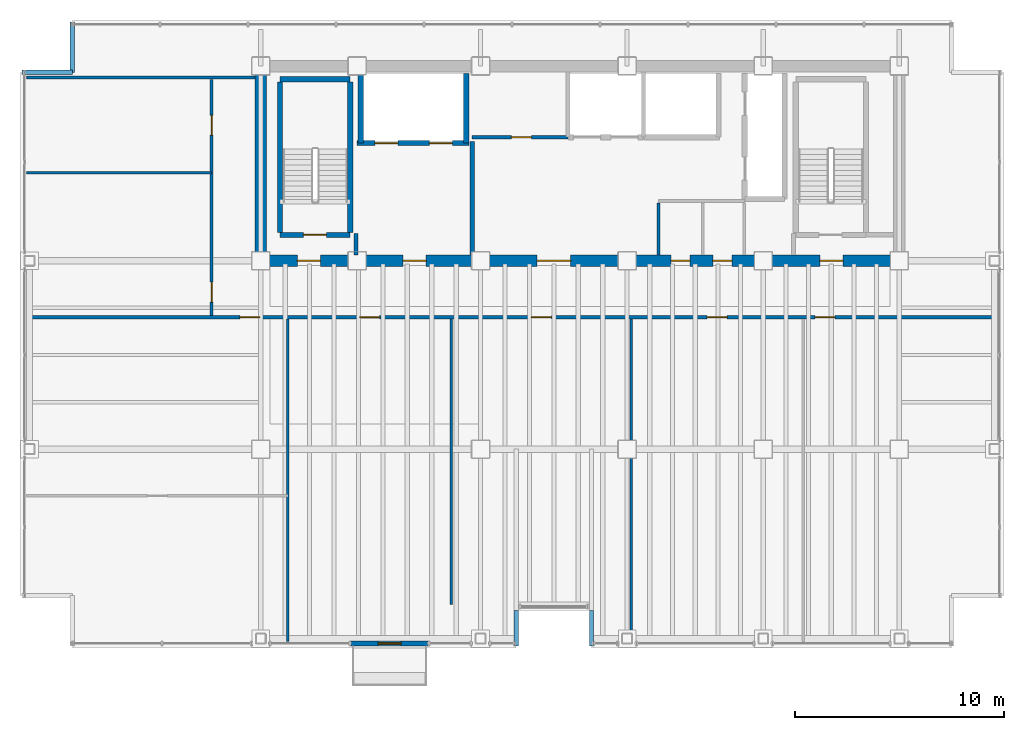
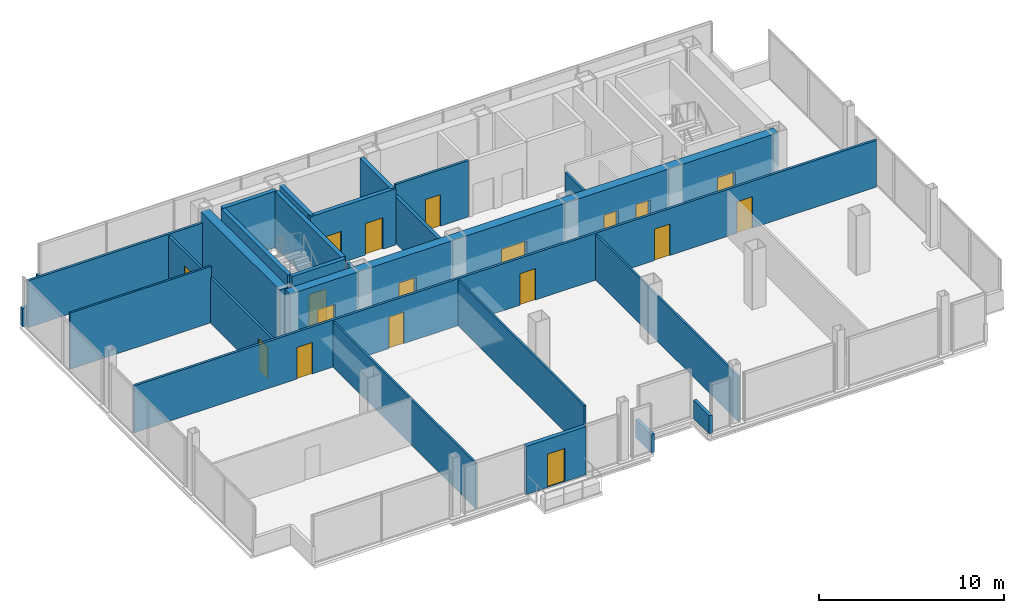
# One storey, part 18 of 20: 25 walls, 18 doors, 18 openings.
"""IFC4 building model written with IfcOpenShell, lengths in metres."""

from ifc_helpers import new_model, si_unit, direction, frame, frame_2d, origin, place, context, subcontext, project, spatial, rectangle, extrude, material, layer, layer_set, type_object, element, fill, save


model = new_model("IFC4")

# Units and contexts
model_context = context("Model", 3, precision=1e-05, world=origin(), true_north=direction((0.0, 1.0)))
body_context = subcontext(model_context, "Body", "Model", "MODEL_VIEW")
ifc_project = project(units=[si_unit("LENGTHUNIT", "METRE"), si_unit("AREAUNIT", "SQUARE_METRE"), si_unit("VOLUMEUNIT", "CUBIC_METRE"), si_unit("PLANEANGLEUNIT", "RADIAN"), si_unit("MASSUNIT", "GRAM", prefix="KILO")], contexts=[model_context])

# Site, building, storey
site_placement = place(None, origin())
site = spatial("IfcSite", under=ifc_project, at=site_placement, CompositionType="ELEMENT")
building_placement = place(site_placement, origin())
building = spatial("IfcBuilding", under=site, at=building_placement, Name="Noeulbin Bourse Tower", CompositionType="ELEMENT")
storey_placement = place(building_placement, frame((0.0, 0.0, 126.60009765625)))
storey = spatial("IfcBuildingStorey", under=building, at=storey_placement, Name="L31", CompositionType="ELEMENT", Elevation=126.60009765625)

# Wall, openings, doors
ifc_material_1 = material(Name="Concrete C60/75", Category="concrete")
ifc_layer_1 = layer(ifc_material_1, 0.550048828125)
ifc_layer_set_1 = layer_set([ifc_layer_1], Name="Concrete C60/75")
wall_type_1 = type_object("IfcWallType", Name="WAL-CORE-550", PredefinedType="SHEAR", material=ifc_layer_set_1)
wall_1_placement = place(storey_placement, frame((13.5, 29.0, 0.0), z_axis=(0.0, 0.0, 1.0), x_axis=(1.0, 0.0, 0.0)))
wall_1 = element("IfcWall", 1, at=wall_1_placement, inside=storey, type_object=wall_type_1, Name="Rear Core South Shear Wall L31", PredefinedType="SHEAR", context=body_context, shape_type="SweptSolid", body=[
    extrude(rectangle(XDim=30.5, YDim=0.550048828125, at=frame_2d((15.25, 0.0))), origin(), (0.0, 0.0, 1.0), 3.719970703125),
])
opening_1_placement = place(wall_1_placement, frame((1.75, 0.0, 0.0)))
opening_1 = element("IfcOpeningElement", 2, at=opening_1_placement, cuts=wall_1, Name="Opening FD-11", PredefinedType="OPENING", context=body_context, shape_type="SweptSolid", body=[
    extrude(rectangle(XDim=1.10009765625, YDim=2.080078125, at=frame_2d((0.550048828125, 1.0400390625))), frame((0.0, 0.284912109375, 0.0), z_axis=(0.0, -1.0, 0.0), x_axis=(1.0, 0.0, 0.0)), (0.0, 0.0, 1.0), 0.570068359375),
])
opening_2_placement = place(wall_1_placement, frame((26.699951171875, 0.0, 0.0)))
opening_2 = element("IfcOpeningElement", 3, at=opening_2_placement, cuts=wall_1, Name="Opening FD-11", PredefinedType="OPENING", context=body_context, shape_type="SweptSolid", body=[
    extrude(rectangle(XDim=1.10009765625, YDim=2.080078125, at=frame_2d((0.550048828125, 1.0400390625))), frame((0.0, 0.284912109375, 0.0), z_axis=(0.0, -1.0, 0.0), x_axis=(1.0, 0.0, 0.0)), (0.0, 0.0, 1.0), 0.570068359375),
])
opening_3_placement = place(wall_1_placement, frame((6.800048828125, 0.0, 0.0)))
opening_3 = element("IfcOpeningElement", 4, at=opening_3_placement, cuts=wall_1, Name="Opening FD-11", PredefinedType="OPENING", context=body_context, shape_type="SweptSolid", body=[
    extrude(rectangle(XDim=1.10009765625, YDim=2.080078125, at=frame_2d((0.550048828125, 1.0400390625))), frame((0.0, 0.284912109375, 0.0), z_axis=(0.0, -1.0, 0.0), x_axis=(1.0, 0.0, 0.0)), (0.0, 0.0, 1.0), 0.570068359375),
])
opening_4_placement = place(wall_1_placement, frame((13.199951171875, 0.0, 0.0)))
opening_4 = element("IfcOpeningElement", 5, at=opening_4_placement, cuts=wall_1, Name="Opening ID-16", PredefinedType="OPENING", context=body_context, shape_type="SweptSolid", body=[
    extrude(rectangle(XDim=1.60009765625, YDim=2.080078125, at=frame_2d((0.800048828125, 1.0400390625))), frame((0.0, 0.284912109375, 0.0), z_axis=(0.0, -1.0, 0.0), x_axis=(1.0, 0.0, 0.0)), (0.0, 0.0, 1.0), 0.570068359375),
])
opening_5_placement = place(wall_1_placement, frame((19.60009765625, 0.0, 0.0)))
opening_5 = element("IfcOpeningElement", 6, at=opening_5_placement, cuts=wall_1, Name="Opening FD-09", PredefinedType="OPENING", context=body_context, shape_type="SweptSolid", body=[
    extrude(rectangle(XDim=0.89990234375, YDim=2.080078125, at=frame_2d((0.449951171875, 1.0400390625))), frame((0.0, 0.284912109375, 0.0), z_axis=(0.0, -1.0, 0.0), x_axis=(1.0, 0.0, 0.0)), (0.0, 0.0, 1.0), 0.570068359375),
])
opening_6_placement = place(wall_1_placement, frame((21.60009765625, 0.0, 0.0)))
opening_6 = element("IfcOpeningElement", 7, at=opening_6_placement, cuts=wall_1, Name="Opening FD-09", PredefinedType="OPENING", context=body_context, shape_type="SweptSolid", body=[
    extrude(rectangle(XDim=0.89990234375, YDim=2.080078125, at=frame_2d((0.449951171875, 1.0400390625))), frame((0.0, 0.284912109375, 0.0), z_axis=(0.0, -1.0, 0.0), x_axis=(1.0, 0.0, 0.0)), (0.0, 0.0, 1.0), 0.570068359375),
])
ifc_material_2 = material(Name="Acoustic Glazed Aluminium", Category="aluminium")
door_type_1 = type_object("IfcDoorType", Name="DR-DBL-1600", OperationType="DOUBLE_DOOR_SINGLE_SWING", PredefinedType="DOOR", material=ifc_material_2)
door_1_placement = place(opening_4_placement, origin())
door_1 = element("IfcDoor", 8, at=door_1_placement, inside=storey, type_object=door_type_1, Name="Passenger Lift Lobby Portal L31", OperationType="DOUBLE_DOOR_SINGLE_SWING", OverallHeight=2.080078125, OverallWidth=1.60009765625, PredefinedType="DOOR", context=body_context, shape_type="SweptSolid", body=[
    extrude(rectangle(XDim=1.60009765625, YDim=2.080078125, at=frame_2d((0.800048828125, 1.0400390625))), frame((0.0, 0.02490234375, 0.0), z_axis=(0.0, -1.0, 0.0), x_axis=(1.0, 0.0, 0.0)), (0.0, 0.0, 1.0), 0.050048828125),
])
fill(opening_4, door_1)
ifc_material_3 = material(Name="Fire-Rated Timber Core", Category="wood")
door_type_2 = type_object("IfcDoorType", Name="DR-FD30-900", OperationType="SINGLE_SWING_RIGHT", PredefinedType="DOOR", material=ifc_material_3)
door_2_placement = place(opening_5_placement, origin())
door_2 = element("IfcDoor", 9, at=door_2_placement, inside=storey, type_object=door_type_2, Name="Interior Door L31-06", OperationType="SINGLE_SWING_RIGHT", OverallHeight=2.080078125, OverallWidth=0.89990234375, PredefinedType="DOOR", context=body_context, shape_type="SweptSolid", body=[
    extrude(rectangle(XDim=0.89990234375, YDim=2.080078125, at=frame_2d((0.449951171875, 1.0400390625))), frame((0.0, 0.02490234375, 0.0), z_axis=(0.0, -1.0, 0.0), x_axis=(1.0, 0.0, 0.0)), (0.0, 0.0, 1.0), 0.050048828125),
])
fill(opening_5, door_2)
door_3_placement = place(opening_6_placement, origin())
door_3 = element("IfcDoor", 10, at=door_3_placement, inside=storey, type_object=door_type_2, Name="Interior Door L31-07", OperationType="SINGLE_SWING_LEFT", OverallHeight=2.080078125, OverallWidth=0.89990234375, PredefinedType="DOOR", context=body_context, shape_type="SweptSolid", body=[
    extrude(rectangle(XDim=0.89990234375, YDim=2.080078125, at=frame_2d((0.449951171875, 1.0400390625))), frame((0.0, 0.02490234375, 0.0), z_axis=(0.0, -1.0, 0.0), x_axis=(1.0, 0.0, 0.0)), (0.0, 0.0, 1.0), 0.050048828125),
])
fill(opening_6, door_3)
ifc_material_4 = material(Name="Fire-Rated Insulated Steel", Category="steel")
door_type_3 = type_object("IfcDoorType", Name="DR-FD60-1100", OperationType="SINGLE_SWING_LEFT", PredefinedType="DOOR", material=ifc_material_4)
door_4_placement = place(opening_1_placement, origin())
door_4 = element("IfcDoor", 11, at=door_4_placement, inside=storey, type_object=door_type_3, Name="West Stair Lobby Door L31", OperationType="SINGLE_SWING_LEFT", OverallHeight=2.080078125, OverallWidth=1.10009765625, PredefinedType="DOOR", context=body_context, shape_type="SweptSolid", body=[
    extrude(rectangle(XDim=1.10009765625, YDim=2.080078125, at=frame_2d((0.550048828125, 1.0400390625))), frame((0.0, 0.02490234375, 0.0), z_axis=(0.0, -1.0, 0.0), x_axis=(1.0, 0.0, 0.0)), (0.0, 0.0, 1.0), 0.050048828125),
])
fill(opening_1, door_4)
door_5_placement = place(opening_2_placement, origin())
door_5 = element("IfcDoor", 12, at=door_5_placement, inside=storey, type_object=door_type_3, Name="East Stair Lobby Door L31", OperationType="SINGLE_SWING_RIGHT", OverallHeight=2.080078125, OverallWidth=1.10009765625, PredefinedType="DOOR", context=body_context, shape_type="SweptSolid", body=[
    extrude(rectangle(XDim=1.10009765625, YDim=2.080078125, at=frame_2d((0.550048828125, 1.0400390625))), frame((0.0, 0.02490234375, 0.0), z_axis=(0.0, -1.0, 0.0), x_axis=(1.0, 0.0, 0.0)), (0.0, 0.0, 1.0), 0.050048828125),
])
fill(opening_2, door_5)
door_6_placement = place(opening_3_placement, origin())
door_6 = element("IfcDoor", 13, at=door_6_placement, inside=storey, type_object=door_type_3, Name="Firefighting Lobby Door L31", OperationType="SINGLE_SWING_LEFT", OverallHeight=2.080078125, OverallWidth=1.10009765625, PredefinedType="DOOR", context=body_context, shape_type="SweptSolid", body=[
    extrude(rectangle(XDim=1.10009765625, YDim=2.080078125, at=frame_2d((0.550048828125, 1.0400390625))), frame((0.0, 0.02490234375, 0.0), z_axis=(0.0, -1.0, 0.0), x_axis=(1.0, 0.0, 0.0)), (0.0, 0.0, 1.0), 0.050048828125),
])
fill(opening_3, door_6)

# Wall
wall_2_placement = place(storey_placement, frame((13.5, 29.35009765625, 0.0), z_axis=(0.0, 0.0, 1.0), x_axis=(0.0, 1.0, 0.0)))
element("IfcWall", 14, at=wall_2_placement, inside=storey, type_object=wall_type_1, Name="Rear Core West Shear Wall L31", PredefinedType="SHEAR", context=body_context, shape_type="SweptSolid", body=[
    extrude(rectangle(XDim=8.599853515625, YDim=0.550048828125, at=frame_2d((4.2998046875, 0.0))), origin(), (0.0, 0.0, 1.0), 3.719970703125),
])

# Wall, opening, door
ifc_material_5 = material(Name="Precast Concrete C40/50", Category="concrete")
ifc_layer_2 = layer(ifc_material_5, 0.25)
ifc_layer_set_2 = layer_set([ifc_layer_2], Name="Precast Concrete C40/50")
wall_type_2 = type_object("IfcWallType", Name="WAL-EXT-250", PredefinedType="STANDARD", material=ifc_layer_set_2)
wall_3_placement = place(storey_placement, frame((17.800048828125, 10.719970703125, 0.0), z_axis=(0.0, 0.0, 1.0), x_axis=(1.0, 0.0, 0.0)))
wall_3 = element("IfcWall", 15, at=wall_3_placement, inside=storey, type_object=wall_type_2, Name="Balcony Threshold Wall L31", PredefinedType="STANDARD", context=body_context, shape_type="SweptSolid", body=[
    extrude(rectangle(XDim=3.699951171875, YDim=0.25, at=frame_2d((1.85009765625, 0.0))), origin(), (0.0, 0.0, 1.0), 3.179931640625),
])
opening_7_placement = place(wall_3_placement, frame((1.300048828125, 0.0, 0.0)))
opening_7 = element("IfcOpeningElement", 16, at=opening_7_placement, cuts=wall_3, Name="Opening BD-11", PredefinedType="OPENING", context=body_context, shape_type="SweptSolid", body=[
    extrude(rectangle(XDim=1.10009765625, YDim=2.199951171875, at=frame_2d((0.550048828125, 1.10009765625))), frame((0.0, 0.135009765625, 0.0), z_axis=(0.0, -1.0, 0.0), x_axis=(1.0, 0.0, 0.0)), (0.0, 0.0, 1.0), 0.27001953125),
])
ifc_material_6 = material(Name="Thermally Broken Aluminium Framed Glass", Category="aluminium")
door_type_4 = type_object("IfcDoorType", Name="DR-BAL-1100", OperationType="SINGLE_SWING_LEFT", PredefinedType="DOOR", material=ifc_material_6)
door_7_placement = place(opening_7_placement, origin())
door_7 = element("IfcDoor", 17, at=door_7_placement, inside=storey, type_object=door_type_4, Name="Tree-Balcony Access Door BD-L31", OperationType="SINGLE_SWING_LEFT", OverallHeight=2.199951171875, OverallWidth=1.10009765625, PredefinedType="DOOR", context=body_context, shape_type="SweptSolid", body=[
    extrude(rectangle(XDim=1.10009765625, YDim=2.199951171875, at=frame_2d((0.550048828125, 1.10009765625))), frame((0.0, 0.02490234375, 0.0), z_axis=(0.0, -1.0, 0.0), x_axis=(1.0, 0.0, 0.0)), (0.0, 0.0, 1.0), 0.050048828125),
])
fill(opening_7, door_7)

# Walls
ifc_material_7 = material(Name="Concrete C40/50", Category="concrete")
ifc_layer_3 = layer(ifc_material_7, 0.199951171875)
ifc_layer_set_3 = layer_set([ifc_layer_3], Name="Concrete C40/50")
wall_type_3 = type_object("IfcWallType", Name="WAL-FIRE-200", PredefinedType="STANDARD", material=ifc_layer_set_3)
wall_4_placement = place(storey_placement, frame((18.050048828125, 29.284912109375, 0.0), z_axis=(0.0, 0.0, 1.0), x_axis=(0.0, 1.0, 0.0)))
element("IfcWall", 18, at=wall_4_placement, inside=storey, type_object=wall_type_3, Name="Interior Partition Wall L31-08", PredefinedType="STANDARD", context=body_context, shape_type="SweptSolid", body=[
    extrude(rectangle(XDim=1.01513671875, YDim=0.199951171875, at=frame_2d((0.507568359375, 0.0))), origin(), (0.0, 0.0, 1.0), 3.2998046875),
])
wall_5_placement = place(storey_placement, frame((23.60009765625, 29.284912109375, 0.0), z_axis=(0.0, 0.0, 1.0), x_axis=(0.0, 1.0, 0.0)))
element("IfcWall", 19, at=wall_5_placement, inside=storey, type_object=wall_type_3, Name="Interior Partition Wall L31-10", PredefinedType="STANDARD", context=body_context, shape_type="SweptSolid", body=[
    extrude(rectangle(XDim=5.4150390625, YDim=0.199951171875, at=frame_2d((2.70751953125, 0.0))), origin(), (0.0, 0.0, 1.0), 3.099853515625),
])
ifc_layer_4 = layer(ifc_material_7, 0.199951171875)
ifc_layer_set_4 = layer_set([ifc_layer_4], Name="Concrete C40/50")
wall_type_4 = type_object("IfcWallType", Name="WAL-PAR-200", PredefinedType="PARAPET", material=ifc_layer_set_4)
for number, where, z_axis, x_axis, name in (
    (20, (2.10009765625, 38.0, 0.0), (0.0, 0.0, 1.0), (1.0, 0.0, 0.0), "Corner Notch Parapet L31-NW1"),
    (21, (4.5, 38.0, 0.0), (0.0, 0.0, 1.0), (0.0, 1.0, 0.0), "Corner Notch Parapet L31-NW2"),
):
    element("IfcWall", number, at=place(storey_placement, frame(where, z_axis=z_axis, x_axis=x_axis)), inside=storey, type_object=wall_type_4, Name=name, PredefinedType="PARAPET", context=body_context, shape_type="SweptSolid", body=[
        extrude(rectangle(XDim=2.39990234375, YDim=0.199951171875, at=frame_2d((1.199951171875, 0.0))), origin(), (0.0, 0.0, 1.0), 1.199951171875),
    ])
for number, where, z_axis, x_axis, name in (
    (22, (25.699951171875, 10.60009765625, 0.0), (0.0, 0.0, 1.0), (0.0, 1.0, 0.0), "Sky-Garden Recess Parapet L31-W"),
    (23, (29.300048828125, 12.300048828125, 0.0), (0.0, 0.0, 1.0), (0.0, -1.0, 0.0), "Sky-Garden Recess Parapet L31-E"),
):
    element("IfcWall", number, at=place(storey_placement, frame(where, z_axis=z_axis, x_axis=x_axis)), inside=storey, type_object=wall_type_4, Name=name, PredefinedType="PARAPET", context=body_context, shape_type="SweptSolid", body=[
        extrude(rectangle(XDim=1.699951171875, YDim=0.199951171875, at=frame_2d((0.85009765625, 0.0))), origin(), (0.0, 0.0, 1.0), 1.199951171875),
    ])
ifc_material_8 = material(Name="Steel Stud Gypsum Partition", Category="steel")
ifc_layer_5 = layer(ifc_material_8, 0.1201171875)
ifc_layer_set_5 = layer_set([ifc_layer_5], Name="Steel Stud Gypsum Partition")
wall_type_5 = type_object("IfcWallType", Name="WAL-PRT-120", PredefinedType="PARTITIONING", material=ifc_layer_set_5)
wall_6_placement = place(storey_placement, frame((2.31005859375, 33.199951171875, 0.0), z_axis=(0.0, 0.0, 1.0), x_axis=(1.0, 0.0, 0.0)))
element("IfcWall", 24, at=wall_6_placement, inside=storey, type_object=wall_type_5, Name="Interior Partition Wall L31-07", PredefinedType="PARTITIONING", context=body_context, shape_type="SweptSolid", body=[
    extrude(rectangle(XDim=8.83984375, YDim=0.1201171875, at=frame_2d((4.419921875, 0.0))), origin(), (0.0, 0.0, 1.0), 3.719970703125),
])
wall_7_placement = place(storey_placement, frame((14.800048828125, 10.81005859375, 0.0), z_axis=(0.0, 0.0, 1.0), x_axis=(0.0, 1.0, 0.0)))
element("IfcWall", 25, at=wall_7_placement, inside=storey, type_object=wall_type_5, Name="Interior Partition Wall L31-15", PredefinedType="PARTITIONING", context=body_context, shape_type="SweptSolid", body=[
    extrude(rectangle(XDim=15.405029296875, YDim=0.1201171875, at=frame_2d((7.70263671875, 0.0))), origin(), (0.0, 0.0, 1.0), 3.0),
])
wall_8_placement = place(storey_placement, frame((22.60009765625, 12.570068359375, 0.0), z_axis=(0.0, 0.0, 1.0), x_axis=(0.0, 1.0, 0.0)))
element("IfcWall", 26, at=wall_8_placement, inside=storey, type_object=wall_type_5, Name="Interior Partition Wall L31-16", PredefinedType="PARTITIONING", context=body_context, shape_type="SweptSolid", body=[
    extrude(rectangle(XDim=13.64501953125, YDim=0.1201171875, at=frame_2d((6.822509765625, 0.0))), origin(), (0.0, 0.0, 1.0), 3.0),
])
wall_9_placement = place(storey_placement, frame((31.199951171875, 10.81005859375, 0.0), z_axis=(0.0, 0.0, 1.0), x_axis=(0.0, 1.0, 0.0)))
element("IfcWall", 27, at=wall_9_placement, inside=storey, type_object=wall_type_5, Name="Interior Partition Wall L31-17", PredefinedType="PARTITIONING", context=body_context, shape_type="SweptSolid", body=[
    extrude(rectangle(XDim=15.405029296875, YDim=0.1201171875, at=frame_2d((7.70263671875, 0.0))), origin(), (0.0, 0.0, 1.0), 3.0),
])

# Wall, opening, door
ifc_material_9 = material(Name="Steel Stud Acoustic Gypsum Board", Category="steel")
ifc_layer_6 = layer(ifc_material_9, 0.14990234375)
ifc_layer_set_6 = layer_set([ifc_layer_6], Name="Steel Stud Acoustic Gypsum Board")
wall_type_6 = type_object("IfcWallType", Name="WAL-PRT-150", PredefinedType="PARTITIONING", material=ifc_layer_set_6)
wall_10_placement = place(storey_placement, frame((23.60009765625, 34.89990234375, 0.0), z_axis=(0.0, 0.0, 1.0), x_axis=(1.0, 0.0, 0.0)))
wall_10 = element("IfcWall", 28, at=wall_10_placement, inside=storey, type_object=wall_type_6, Name="Interior Partition Wall L31-02", PredefinedType="PARTITIONING", context=body_context, shape_type="SweptSolid", body=[
    extrude(rectangle(XDim=4.579833984375, YDim=0.14990234375, at=frame_2d((2.2900390625, 0.0))), origin(), (0.0, 0.0, 1.0), 3.719970703125),
])
opening_8_placement = place(wall_10_placement, frame((1.875, 0.0, 0.0)))
opening_8 = element("IfcOpeningElement", 29, at=opening_8_placement, cuts=wall_10, Name="Opening ID-09", PredefinedType="OPENING", context=body_context, shape_type="SweptSolid", body=[
    extrude(rectangle(XDim=0.949951171875, YDim=2.080078125, at=frame_2d((0.47509765625, 1.0400390625))), frame((0.0, 0.0849609375, 0.0), z_axis=(0.0, -1.0, 0.0), x_axis=(1.0, 0.0, 0.0)), (0.0, 0.0, 1.0), 0.169921875),
])
ifc_material_10 = material(Name="Acoustic Solid-Core Timber", Category="wood")
door_type_5 = type_object("IfcDoorType", Name="DR-SINGLE-950", OperationType="SINGLE_SWING_LEFT", PredefinedType="DOOR", material=ifc_material_10)
door_8_placement = place(opening_8_placement, origin())
door_8 = element("IfcDoor", 30, at=door_8_placement, inside=storey, type_object=door_type_5, Name="Archive Room Door L31", OperationType="SINGLE_SWING_LEFT", OverallHeight=2.080078125, OverallWidth=0.949951171875, PredefinedType="DOOR", context=body_context, shape_type="SweptSolid", body=[
    extrude(rectangle(XDim=0.949951171875, YDim=2.080078125, at=frame_2d((0.47509765625, 1.0400390625))), frame((0.0, 0.02490234375, 0.0), z_axis=(0.0, -1.0, 0.0), x_axis=(1.0, 0.0, 0.0)), (0.0, 0.0, 1.0), 0.050048828125),
])
fill(opening_8, door_8)

# Wall, openings, doors
wall_11_placement = place(storey_placement, frame((2.31005859375, 26.300048828125, 0.0), z_axis=(0.0, 0.0, 1.0), x_axis=(1.0, 0.0, 0.0)))
wall_11 = element("IfcWall", 31, at=wall_11_placement, inside=storey, type_object=wall_type_6, Name="Interior Partition Wall L31-04", PredefinedType="PARTITIONING", context=body_context, shape_type="SweptSolid", body=[
    extrude(rectangle(XDim=46.3798828125, YDim=0.14990234375, at=frame_2d((23.18994140625, 0.0))), origin(), (0.0, 0.0, 1.0), 3.099853515625),
])
opening_9_placement = place(wall_11_placement, frame((10.18994140625, 0.0, 0.0)))
opening_9 = element("IfcOpeningElement", 32, at=opening_9_placement, cuts=wall_11, Name="Opening ID-09", PredefinedType="OPENING", context=body_context, shape_type="SweptSolid", body=[
    extrude(rectangle(XDim=0.949951171875, YDim=2.080078125, at=frame_2d((0.47509765625, 1.0400390625))), frame((0.0, 0.0849609375, 0.0), z_axis=(0.0, -1.0, 0.0), x_axis=(1.0, 0.0, 0.0)), (0.0, 0.0, 1.0), 0.169921875),
])
opening_10_placement = place(wall_11_placement, frame((15.9150390625, 0.0, 0.0)))
opening_10 = element("IfcOpeningElement", 33, at=opening_10_placement, cuts=wall_11, Name="Opening ID-09", PredefinedType="OPENING", context=body_context, shape_type="SweptSolid", body=[
    extrude(rectangle(XDim=0.949951171875, YDim=2.080078125, at=frame_2d((0.47509765625, 1.0400390625))), frame((0.0, 0.0849609375, 0.0), z_axis=(0.0, -1.0, 0.0), x_axis=(1.0, 0.0, 0.0)), (0.0, 0.0, 1.0), 0.169921875),
])
opening_11_placement = place(wall_11_placement, frame((24.114990234375, 0.0, 0.0)))
opening_11 = element("IfcOpeningElement", 34, at=opening_11_placement, cuts=wall_11, Name="Opening ID-09", PredefinedType="OPENING", context=body_context, shape_type="SweptSolid", body=[
    extrude(rectangle(XDim=0.949951171875, YDim=2.080078125, at=frame_2d((0.47509765625, 1.0400390625))), frame((0.0, 0.0849609375, 0.0), z_axis=(0.0, -1.0, 0.0), x_axis=(1.0, 0.0, 0.0)), (0.0, 0.0, 1.0), 0.169921875),
])
opening_12_placement = place(wall_11_placement, frame((32.514892578125, 0.0, 0.0)))
opening_12 = element("IfcOpeningElement", 35, at=opening_12_placement, cuts=wall_11, Name="Opening ID-09", PredefinedType="OPENING", context=body_context, shape_type="SweptSolid", body=[
    extrude(rectangle(XDim=0.949951171875, YDim=2.080078125, at=frame_2d((0.47509765625, 1.0400390625))), frame((0.0, 0.0849609375, 0.0), z_axis=(0.0, -1.0, 0.0), x_axis=(1.0, 0.0, 0.0)), (0.0, 0.0, 1.0), 0.169921875),
])
opening_13_placement = place(wall_11_placement, frame((37.6650390625, 0.0, 0.0)))
opening_13 = element("IfcOpeningElement", 36, at=opening_13_placement, cuts=wall_11, Name="Opening ID-09", PredefinedType="OPENING", context=body_context, shape_type="SweptSolid", body=[
    extrude(rectangle(XDim=0.949951171875, YDim=2.080078125, at=frame_2d((0.47509765625, 1.0400390625))), frame((0.0, 0.0849609375, 0.0), z_axis=(0.0, -1.0, 0.0), x_axis=(1.0, 0.0, 0.0)), (0.0, 0.0, 1.0), 0.169921875),
])
door_9_placement = place(opening_9_placement, origin())
door_9 = element("IfcDoor", 37, at=door_9_placement, inside=storey, type_object=door_type_5, Name="Interior Door L31-09", OperationType="SINGLE_SWING_LEFT", OverallHeight=2.080078125, OverallWidth=0.949951171875, PredefinedType="DOOR", context=body_context, shape_type="SweptSolid", body=[
    extrude(rectangle(XDim=0.949951171875, YDim=2.080078125, at=frame_2d((0.47509765625, 1.0400390625))), frame((0.0, 0.02490234375, 0.0), z_axis=(0.0, -1.0, 0.0), x_axis=(1.0, 0.0, 0.0)), (0.0, 0.0, 1.0), 0.050048828125),
])
fill(opening_9, door_9)
door_10_placement = place(opening_10_placement, origin())
door_10 = element("IfcDoor", 38, at=door_10_placement, inside=storey, type_object=door_type_5, Name="Interior Door L31-10", OperationType="SINGLE_SWING_RIGHT", OverallHeight=2.080078125, OverallWidth=0.949951171875, PredefinedType="DOOR", context=body_context, shape_type="SweptSolid", body=[
    extrude(rectangle(XDim=0.949951171875, YDim=2.080078125, at=frame_2d((0.47509765625, 1.0400390625))), frame((0.0, 0.02490234375, 0.0), z_axis=(0.0, -1.0, 0.0), x_axis=(1.0, 0.0, 0.0)), (0.0, 0.0, 1.0), 0.050048828125),
])
fill(opening_10, door_10)
door_11_placement = place(opening_11_placement, origin())
door_11 = element("IfcDoor", 39, at=door_11_placement, inside=storey, type_object=door_type_5, Name="Interior Door L31-11", OperationType="SINGLE_SWING_LEFT", OverallHeight=2.080078125, OverallWidth=0.949951171875, PredefinedType="DOOR", context=body_context, shape_type="SweptSolid", body=[
    extrude(rectangle(XDim=0.949951171875, YDim=2.080078125, at=frame_2d((0.47509765625, 1.0400390625))), frame((0.0, 0.02490234375, 0.0), z_axis=(0.0, -1.0, 0.0), x_axis=(1.0, 0.0, 0.0)), (0.0, 0.0, 1.0), 0.050048828125),
])
fill(opening_11, door_11)
door_12_placement = place(opening_12_placement, origin())
door_12 = element("IfcDoor", 40, at=door_12_placement, inside=storey, type_object=door_type_5, Name="Interior Door L31-12", OperationType="SINGLE_SWING_RIGHT", OverallHeight=2.080078125, OverallWidth=0.949951171875, PredefinedType="DOOR", context=body_context, shape_type="SweptSolid", body=[
    extrude(rectangle(XDim=0.949951171875, YDim=2.080078125, at=frame_2d((0.47509765625, 1.0400390625))), frame((0.0, 0.02490234375, 0.0), z_axis=(0.0, -1.0, 0.0), x_axis=(1.0, 0.0, 0.0)), (0.0, 0.0, 1.0), 0.050048828125),
])
fill(opening_12, door_12)
door_13_placement = place(opening_13_placement, origin())
door_13 = element("IfcDoor", 41, at=door_13_placement, inside=storey, type_object=door_type_5, Name="Interior Door L31-13", OperationType="SINGLE_SWING_LEFT", OverallHeight=2.080078125, OverallWidth=0.949951171875, PredefinedType="DOOR", context=body_context, shape_type="SweptSolid", body=[
    extrude(rectangle(XDim=0.949951171875, YDim=2.080078125, at=frame_2d((0.47509765625, 1.0400390625))), frame((0.0, 0.02490234375, 0.0), z_axis=(0.0, -1.0, 0.0), x_axis=(1.0, 0.0, 0.0)), (0.0, 0.0, 1.0), 0.050048828125),
])
fill(opening_13, door_13)

# Walls
wall_12_placement = place(storey_placement, frame((2.31005859375, 37.75, 0.0), z_axis=(0.0, 0.0, 1.0), x_axis=(1.0, 0.0, 0.0)))
element("IfcWall", 42, at=wall_12_placement, inside=storey, type_object=wall_type_6, Name="Interior Partition Wall L31-05", PredefinedType="PARTITIONING", context=body_context, shape_type="SweptSolid", body=[
    extrude(rectangle(XDim=10.905029296875, YDim=0.14990234375, at=frame_2d((5.45263671875, 0.0))), origin(), (0.0, 0.0, 1.0), 3.099853515625),
])
wall_13_placement = place(storey_placement, frame((32.5, 29.284912109375, 0.0), z_axis=(0.0, 0.0, 1.0), x_axis=(0.0, 1.0, 0.0)))
element("IfcWall", 43, at=wall_13_placement, inside=storey, type_object=wall_type_6, Name="Interior Partition Wall L31-11", PredefinedType="PARTITIONING", context=body_context, shape_type="SweptSolid", body=[
    extrude(rectangle(XDim=2.47998046875, YDim=0.14990234375, at=frame_2d((1.239990234375, 0.0))), origin(), (0.0, 0.0, 1.0), 3.2998046875),
])

# Wall, openings, doors
wall_14_placement = place(storey_placement, frame((11.14990234375, 26.385009765625, 0.0), z_axis=(0.0, 0.0, 1.0), x_axis=(0.0, 1.0, 0.0)))
wall_14 = element("IfcWall", 44, at=wall_14_placement, inside=storey, type_object=wall_type_6, Name="Interior Partition Wall L31-14", PredefinedType="PARTITIONING", context=body_context, shape_type="SweptSolid", body=[
    extrude(rectangle(XDim=11.280029296875, YDim=0.14990234375, at=frame_2d((5.64013671875, 0.0))), origin(), (0.0, 0.0, 1.0), 3.0),
])
opening_14_placement = place(wall_14_placement, frame((0.639892578125, 0.0, 0.0)))
opening_14 = element("IfcOpeningElement", 45, at=opening_14_placement, cuts=wall_14, Name="Opening ID-09", PredefinedType="OPENING", context=body_context, shape_type="SweptSolid", body=[
    extrude(rectangle(XDim=0.949951171875, YDim=2.080078125, at=frame_2d((0.47509765625, 1.0400390625))), frame((0.0, 0.0849609375, 0.0), z_axis=(0.0, -1.0, 0.0), x_axis=(1.0, 0.0, 0.0)), (0.0, 0.0, 1.0), 0.169921875),
])
opening_15_placement = place(wall_14_placement, frame((8.614990234375, 0.0, 0.0)))
opening_15 = element("IfcOpeningElement", 46, at=opening_15_placement, cuts=wall_14, Name="Opening ID-09", PredefinedType="OPENING", context=body_context, shape_type="SweptSolid", body=[
    extrude(rectangle(XDim=0.949951171875, YDim=2.080078125, at=frame_2d((0.47509765625, 1.0400390625))), frame((0.0, 0.0849609375, 0.0), z_axis=(0.0, -1.0, 0.0), x_axis=(1.0, 0.0, 0.0)), (0.0, 0.0, 1.0), 0.169921875),
])
door_14_placement = place(opening_14_placement, origin())
door_14 = element("IfcDoor", 47, at=door_14_placement, inside=storey, type_object=door_type_5, Name="Interior Door L31-14", OperationType="SINGLE_SWING_RIGHT", OverallHeight=2.080078125, OverallWidth=0.949951171875, PredefinedType="DOOR", context=body_context, shape_type="SweptSolid", body=[
    extrude(rectangle(XDim=0.949951171875, YDim=2.080078125, at=frame_2d((0.47509765625, 1.0400390625))), frame((0.0, 0.02490234375, 0.0), z_axis=(0.0, -1.0, 0.0), x_axis=(1.0, 0.0, 0.0)), (0.0, 0.0, 1.0), 0.050048828125),
])
fill(opening_14, door_14)
door_15_placement = place(opening_15_placement, origin())
door_15 = element("IfcDoor", 48, at=door_15_placement, inside=storey, type_object=door_type_5, Name="Interior Door L31-15", OperationType="SINGLE_SWING_LEFT", OverallHeight=2.080078125, OverallWidth=0.949951171875, PredefinedType="DOOR", context=body_context, shape_type="SweptSolid", body=[
    extrude(rectangle(XDim=0.949951171875, YDim=2.080078125, at=frame_2d((0.47509765625, 1.0400390625))), frame((0.0, 0.02490234375, 0.0), z_axis=(0.0, -1.0, 0.0), x_axis=(1.0, 0.0, 0.0)), (0.0, 0.0, 1.0), 0.050048828125),
])
fill(opening_15, door_15)

# Wall, opening, door
ifc_layer_7 = layer(ifc_material_7, 0.25)
ifc_layer_set_7 = layer_set([ifc_layer_7], Name="Concrete C40/50")
wall_type_7 = type_object("IfcWallType", Name="WAL-SHFT-250", PredefinedType="STANDARD", material=ifc_layer_set_7)
wall_15_placement = place(storey_placement, frame((14.429931640625, 30.235107421875, 0.0), z_axis=(0.0, 0.0, 1.0), x_axis=(1.0, 0.0, 0.0)))
wall_15 = element("IfcWall", 49, at=wall_15_placement, inside=storey, type_object=wall_type_7, Name="Stair ST-1 South Shaft Wall L31", PredefinedType="STANDARD", context=body_context, shape_type="SweptSolid", body=[
    extrude(rectangle(XDim=3.340087890625, YDim=0.25, at=frame_2d((1.669921875, 0.0))), origin(), (0.0, 0.0, 1.0), 3.719970703125),
])
opening_16_placement = place(wall_15_placement, frame((1.10009765625, 0.0, 0.0)))
opening_16 = element("IfcOpeningElement", 50, at=opening_16_placement, cuts=wall_15, Name="Opening FD-11", PredefinedType="OPENING", context=body_context, shape_type="SweptSolid", body=[
    extrude(rectangle(XDim=1.10009765625, YDim=2.080078125, at=frame_2d((0.550048828125, 1.0400390625))), frame((0.0, 0.135009765625, 0.0), z_axis=(0.0, -1.0, 0.0), x_axis=(1.0, 0.0, 0.0)), (0.0, 0.0, 1.0), 0.27001953125),
])
door_16_placement = place(opening_16_placement, origin())
door_16 = element("IfcDoor", 51, at=door_16_placement, inside=storey, type_object=door_type_3, Name="Protected Stair Entry Door ST1-L31", OperationType="SINGLE_SWING_LEFT", OverallHeight=2.080078125, OverallWidth=1.10009765625, PredefinedType="DOOR", context=body_context, shape_type="SweptSolid", body=[
    extrude(rectangle(XDim=1.10009765625, YDim=2.080078125, at=frame_2d((0.550048828125, 1.0400390625))), frame((0.0, 0.02490234375, 0.0), z_axis=(0.0, -1.0, 0.0), x_axis=(1.0, 0.0, 0.0)), (0.0, 0.0, 1.0), 0.050048828125),
])
fill(opening_16, door_16)

# Walls
wall_16_placement = place(storey_placement, frame((14.429931640625, 37.6689453125, 0.0), z_axis=(0.0, 0.0, 1.0), x_axis=(1.0, 0.0, 0.0)))
element("IfcWall", 52, at=wall_16_placement, inside=storey, type_object=wall_type_7, Name="Stair ST-1 North Shaft Wall L31", PredefinedType="STANDARD", context=body_context, shape_type="SweptSolid", body=[
    extrude(rectangle(XDim=3.340087890625, YDim=0.25, at=frame_2d((1.669921875, 0.0))), origin(), (0.0, 0.0, 1.0), 3.719970703125),
])
for number, where, z_axis, x_axis, name in (
    (53, (14.425048828125, 30.360107421875, 0.0), (0.0, 0.0, 1.0), (0.0, 1.0, 0.0), "Stair ST-1 West Shaft Wall L31"),
    (54, (17.77490234375, 30.360107421875, 0.0), (0.0, 0.0, 1.0), (0.0, 1.0, 0.0), "Stair ST-1 East Shaft Wall L31"),
):
    element("IfcWall", number, at=place(storey_placement, frame(where, z_axis=z_axis, x_axis=x_axis)), inside=storey, type_object=wall_type_7, Name=name, PredefinedType="STANDARD", context=body_context, shape_type="SweptSolid", body=[
        extrude(rectangle(XDim=7.183837890625, YDim=0.25, at=frame_2d((3.591796875, 0.0))), origin(), (0.0, 0.0, 1.0), 3.719970703125),
    ])

# Wall, openings, doors
wall_17_placement = place(storey_placement, frame((18.10009765625, 34.6201171875, 0.0), z_axis=(0.0, 0.0, 1.0), x_axis=(1.0, 0.0, 0.0)))
wall_17 = element("IfcWall", 55, at=wall_17_placement, inside=storey, type_object=wall_type_7, Name="Firefighting Lift Shaft Front L31", PredefinedType="STANDARD", context=body_context, shape_type="SweptSolid", body=[
    extrude(rectangle(XDim=5.349853515625, YDim=0.25, at=frame_2d((2.6748046875, 0.0))), origin(), (0.0, 0.0, 1.0), 3.719970703125),
])
opening_17_placement = place(wall_17_placement, frame((0.85009765625, 0.0, 0.0)))
opening_17 = element("IfcOpeningElement", 56, at=opening_17_placement, cuts=wall_17, Name="Opening LD-11", PredefinedType="OPENING", context=body_context, shape_type="SweptSolid", body=[
    extrude(rectangle(XDim=1.10009765625, YDim=2.080078125, at=frame_2d((0.550048828125, 1.0400390625))), frame((0.0, 0.135009765625, 0.0), z_axis=(0.0, -1.0, 0.0), x_axis=(1.0, 0.0, 0.0)), (0.0, 0.0, 1.0), 0.27001953125),
])
opening_18_placement = place(wall_17_placement, frame((3.449951171875, 0.0, 0.0)))
opening_18 = element("IfcOpeningElement", 57, at=opening_18_placement, cuts=wall_17, Name="Opening LD-11", PredefinedType="OPENING", context=body_context, shape_type="SweptSolid", body=[
    extrude(rectangle(XDim=1.10009765625, YDim=2.080078125, at=frame_2d((0.550048828125, 1.0400390625))), frame((0.0, 0.135009765625, 0.0), z_axis=(0.0, -1.0, 0.0), x_axis=(1.0, 0.0, 0.0)), (0.0, 0.0, 1.0), 0.27001953125),
])
ifc_material_11 = material(Name="Brushed Stainless Steel 316", Category="steel")
door_type_6 = type_object("IfcDoorType", Name="DR-LIFT-1100", OperationType="SLIDING_TO_LEFT", PredefinedType="DOOR", material=ifc_material_11)
door_17_placement = place(opening_17_placement, origin())
door_17 = element("IfcDoor", 58, at=door_17_placement, inside=storey, type_object=door_type_6, Name="Lift Landing Door LD-FL-01-L31", OperationType="SLIDING_TO_LEFT", OverallHeight=2.080078125, OverallWidth=1.10009765625, PredefinedType="DOOR", context=body_context, shape_type="SweptSolid", body=[
    extrude(rectangle(XDim=1.10009765625, YDim=2.080078125, at=frame_2d((0.550048828125, 1.0400390625))), frame((0.0, 0.02490234375, 0.0), z_axis=(0.0, -1.0, 0.0), x_axis=(1.0, 0.0, 0.0)), (0.0, 0.0, 1.0), 0.050048828125),
])
fill(opening_17, door_17)
door_18_placement = place(opening_18_placement, origin())
door_18 = element("IfcDoor", 59, at=door_18_placement, inside=storey, type_object=door_type_6, Name="Lift Landing Door LD-FL-02-L31", OperationType="SLIDING_TO_LEFT", OverallHeight=2.080078125, OverallWidth=1.10009765625, PredefinedType="DOOR", context=body_context, shape_type="SweptSolid", body=[
    extrude(rectangle(XDim=1.10009765625, YDim=2.080078125, at=frame_2d((0.550048828125, 1.0400390625))), frame((0.0, 0.02490234375, 0.0), z_axis=(0.0, -1.0, 0.0), x_axis=(1.0, 0.0, 0.0)), (0.0, 0.0, 1.0), 0.050048828125),
])
fill(opening_18, door_18)

# Walls
for number, where, z_axis, x_axis, name in (
    (60, (18.280029296875, 34.6201171875, 0.0), (0.0, 0.0, 1.0), (0.0, 1.0, 0.0), "Firefighting Lift West Shaft Wall L31"),
    (61, (23.320068359375, 34.6201171875, 0.0), (0.0, 0.0, 1.0), (0.0, 1.0, 0.0), "Firefighting Lift East Shaft Wall L31"),
):
    element("IfcWall", number, at=place(storey_placement, frame(where, z_axis=z_axis, x_axis=x_axis)), inside=storey, type_object=wall_type_7, Name=name, PredefinedType="STANDARD", context=body_context, shape_type="SweptSolid", body=[
        extrude(rectangle(XDim=3.329833984375, YDim=0.25, at=frame_2d((1.6650390625, 0.0))), origin(), (0.0, 0.0, 1.0), 3.719970703125),
    ])

save(model, "model.ifc")
